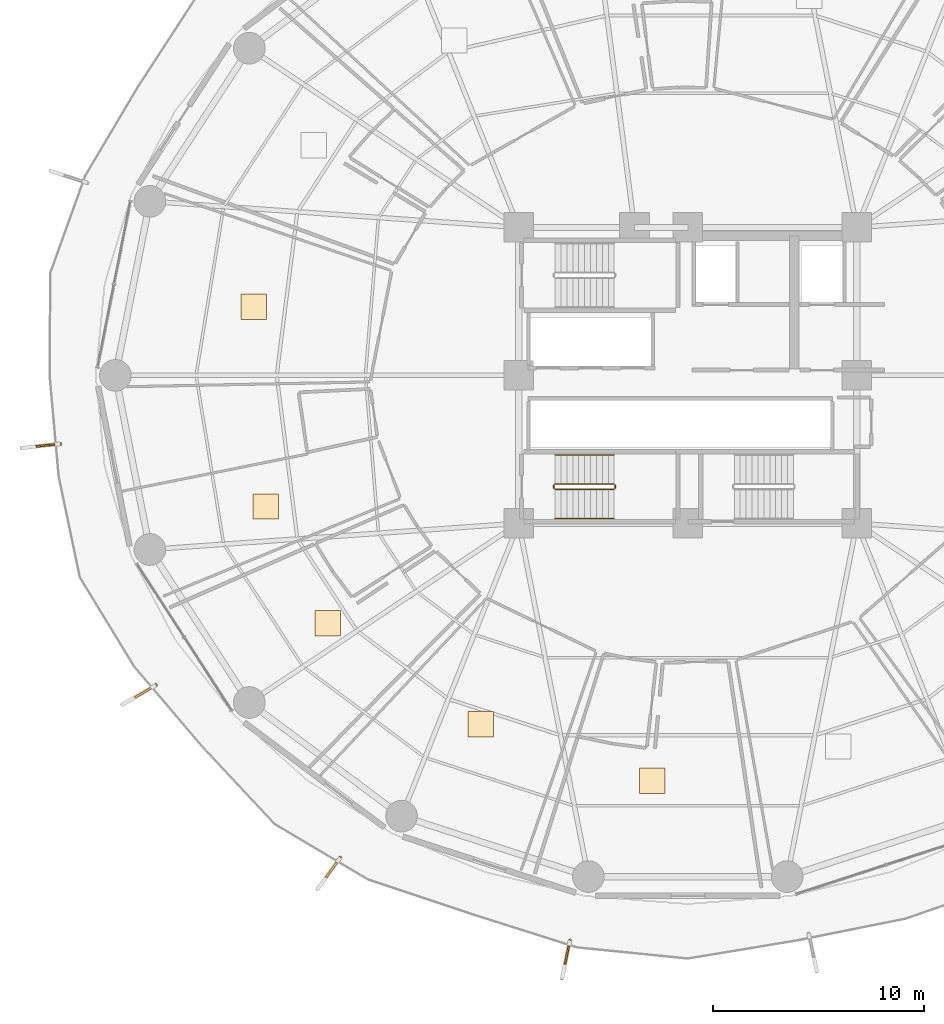
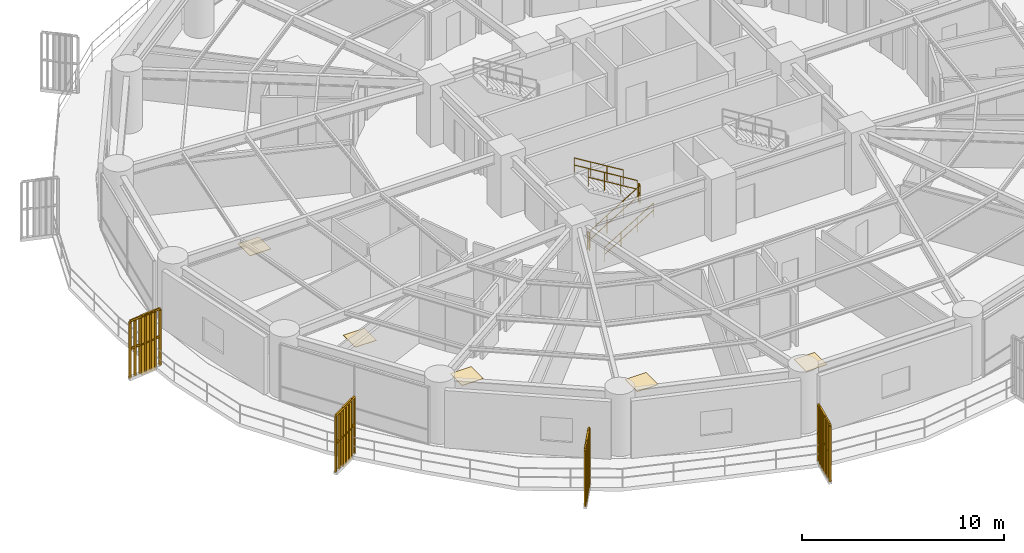
# One storey, part 29 of 33: 10 railings, 5 coverings, 4 shading devices.
"""IFC4 building model written with IfcOpenShell, lengths in metres."""

from ifc_helpers import new_model, si_unit, direction, frame, origin, origin_2d, place, context, subcontext, project, spatial, polyline, rectangle, outline, extrude, source, transform, mapped, material, layer, layer_set, type_object, element, save


model = new_model("IFC4")

# Units and contexts
model_context = context("Model", 3, precision=1e-05, world=origin(), true_north=direction((0.0, 1.0)))
body_context = subcontext(model_context, "Body", "Model", "MODEL_VIEW")
ifc_project = project(units=[si_unit("LENGTHUNIT", "METRE"), si_unit("AREAUNIT", "SQUARE_METRE"), si_unit("VOLUMEUNIT", "CUBIC_METRE"), si_unit("PLANEANGLEUNIT", "RADIAN"), si_unit("MASSUNIT", "GRAM", prefix="KILO")], contexts=[model_context])

# Site, building, storey
site_placement = place(None, origin())
site = spatial("IfcSite", under=ifc_project, at=site_placement, CompositionType="ELEMENT")
building_placement = place(site_placement, origin())
building = spatial("IfcBuilding", under=site, at=building_placement, Name="Kelanora Arch Commons", CompositionType="ELEMENT")
storey_placement = place(building_placement, frame((0.0, 0.0, 41.25)))
storey = spatial("IfcBuildingStorey", under=building, at=storey_placement, Name="L10", CompositionType="ELEMENT", Elevation=41.25)

# Railings
ifc_material_1 = material(Name="Anodised bronze vertical shading fin rib assembly")
railing_type_1 = type_object("IfcRailingType", Name="RAIL-FIN-BRZ", PredefinedType="BALUSTRADE", material=ifc_material_1)
railing_1_placement = place(storey_placement, frame((44.318603515625, 54.763427734375, -0.02001953125)))
element("IfcRailing", 1, at=railing_1_placement, inside=storey, type_object=railing_type_1, Name="Sweeping Bronze Vertical Fin Blade L10-07", PredefinedType="BALUSTRADE", context=body_context, shape_type="SweptSolid", body=[
    extrude(outline(polyline([(0.06982421875, 0.0), (0.034912109375, 0.060546875), (-0.034912109375, 0.060546875), (-0.06982421875, 0.0), (-0.034912109375, -0.060546875), (0.034912109375, -0.060546875), (0.06982421875, 0.0)])), frame((0.0, 0.0, 3.419921875), z_axis=(-0.994109446228, -0.108380851261, 0.0), x_axis=(0.108380851261, -0.994109446228, 0.0)), (0.0, 0.0, 1.0), 1.842529296875),
    extrude(outline(polyline([(0.06982421875, 0.0), (0.034912109375, 0.060546875), (-0.034912109375, 0.060546875), (-0.06982421875, 0.0), (-0.034912109375, -0.060546875), (0.034912109375, -0.060546875), (0.06982421875, 0.0)])), frame((0.0, 0.0, 1.7451171875), z_axis=(-0.994109446228, -0.108380851261, 0.0), x_axis=(0.108380851261, -0.994109446228, 0.0)), (0.0, 0.0, 1.0), 1.842529296875),
    extrude(outline(polyline([(0.080078125, 0.0), (0.0400390625, 0.0693359375), (-0.0400390625, 0.0693359375), (-0.080078125, 0.0), (-0.0400390625, -0.0693359375), (0.0400390625, -0.0693359375), (0.080078125, 0.0)])), origin(), (0.0, 0.0, 1.0), 3.35009765625),
    extrude(outline(polyline([(0.080078125, 0.0), (0.0400390625, 0.0693359375), (-0.0400390625, 0.0693359375), (-0.080078125, 0.0), (-0.0400390625, -0.0693359375), (0.0400390625, -0.0693359375), (0.080078125, 0.0)])), frame((-0.30517578125, -0.033203125, 0.0)), (0.0, 0.0, 1.0), 3.35009765625),
    extrude(outline(polyline([(0.080078125, 0.0), (0.0400390625, 0.0693359375), (-0.0400390625, 0.0693359375), (-0.080078125, 0.0), (-0.0400390625, -0.0693359375), (0.0400390625, -0.0693359375), (0.080078125, 0.0)])), frame((-0.610595703125, -0.066650390625, 0.0)), (0.0, 0.0, 1.0), 3.35009765625),
    extrude(outline(polyline([(0.080078125, 0.0), (0.0400390625, 0.0693359375), (-0.0400390625, 0.0693359375), (-0.080078125, 0.0), (-0.0400390625, -0.0693359375), (0.0400390625, -0.0693359375), (0.080078125, 0.0)])), frame((-0.916015625, -0.099853515625, 0.0)), (0.0, 0.0, 1.0), 3.35009765625),
    extrude(outline(polyline([(0.080078125, 0.0), (0.0400390625, 0.0693359375), (-0.0400390625, 0.0693359375), (-0.080078125, 0.0), (-0.0400390625, -0.0693359375), (0.0400390625, -0.0693359375), (0.080078125, 0.0)])), frame((-1.22119140625, -0.133056640625, 0.0)), (0.0, 0.0, 1.0), 3.35009765625),
    extrude(outline(polyline([(0.080078125, 0.0), (0.0400390625, 0.0693359375), (-0.0400390625, 0.0693359375), (-0.080078125, 0.0), (-0.0400390625, -0.0693359375), (0.0400390625, -0.0693359375), (0.080078125, 0.0)])), frame((-1.5263671875, -0.16650390625, 0.0)), (0.0, 0.0, 1.0), 3.35009765625),
    extrude(outline(polyline([(0.080078125, 0.0), (0.0400390625, 0.0693359375), (-0.0400390625, 0.0693359375), (-0.080078125, 0.0), (-0.0400390625, -0.0693359375), (0.0400390625, -0.0693359375), (0.080078125, 0.0)])), frame((-1.831787109375, -0.19970703125, 0.0)), (0.0, 0.0, 1.0), 3.35009765625),
])
railing_2_placement = place(storey_placement, frame((48.84228515625, 43.344482421875, -0.02001953125)))
element("IfcRailing", 2, at=railing_2_placement, inside=storey, type_object=railing_type_1, Name="Sweeping Bronze Vertical Fin Blade L10-08", PredefinedType="BALUSTRADE", context=body_context, shape_type="SweptSolid", body=[
    extrude(outline(polyline([(0.06982421875, 0.0), (0.034912109375, 0.060546875), (-0.034912109375, 0.060546875), (-0.06982421875, 0.0), (-0.034912109375, -0.060546875), (0.034912109375, -0.060546875), (0.06982421875, 0.0)])), frame((0.0, 0.0, 3.419921875), z_axis=(-0.864062310183, -0.503384866797, 0.0), x_axis=(0.503384866797, -0.864062310183, 0.0)), (0.0, 0.0, 1.0), 1.842529296875),
    extrude(outline(polyline([(0.06982421875, 0.0), (0.034912109375, 0.060546875), (-0.034912109375, 0.060546875), (-0.06982421875, 0.0), (-0.034912109375, -0.060546875), (0.034912109375, -0.060546875), (0.06982421875, 0.0)])), frame((0.0, 0.0, 1.7451171875), z_axis=(-0.864062310183, -0.503384866797, 0.0), x_axis=(0.503384866797, -0.864062310183, 0.0)), (0.0, 0.0, 1.0), 1.842529296875),
    extrude(outline(polyline([(0.080078125, 0.0), (0.0400390625, 0.0693359375), (-0.0400390625, 0.0693359375), (-0.080078125, 0.0), (-0.0400390625, -0.0693359375), (0.0400390625, -0.0693359375), (0.080078125, 0.0)])), origin(), (0.0, 0.0, 1.0), 3.35009765625),
    extrude(outline(polyline([(0.080078125, 0.0), (0.0400390625, 0.0693359375), (-0.0400390625, 0.0693359375), (-0.080078125, 0.0), (-0.0400390625, -0.0693359375), (0.0400390625, -0.0693359375), (0.080078125, 0.0)])), frame((-0.265380859375, -0.154541015625, 0.0)), (0.0, 0.0, 1.0), 3.35009765625),
    extrude(outline(polyline([(0.080078125, 0.0), (0.0400390625, 0.0693359375), (-0.0400390625, 0.0693359375), (-0.080078125, 0.0), (-0.0400390625, -0.0693359375), (0.0400390625, -0.0693359375), (0.080078125, 0.0)])), frame((-0.53076171875, -0.30908203125, 0.0)), (0.0, 0.0, 1.0), 3.35009765625),
    extrude(outline(polyline([(0.080078125, 0.0), (0.0400390625, 0.0693359375), (-0.0400390625, 0.0693359375), (-0.080078125, 0.0), (-0.0400390625, -0.0693359375), (0.0400390625, -0.0693359375), (0.080078125, 0.0)])), frame((-0.7958984375, -0.4638671875, 0.0)), (0.0, 0.0, 1.0), 3.35009765625),
    extrude(outline(polyline([(0.080078125, 0.0), (0.0400390625, 0.0693359375), (-0.0400390625, 0.0693359375), (-0.080078125, 0.0), (-0.0400390625, -0.0693359375), (0.0400390625, -0.0693359375), (0.080078125, 0.0)])), frame((-1.061279296875, -0.618408203125, 0.0)), (0.0, 0.0, 1.0), 3.35009765625),
    extrude(outline(polyline([(0.080078125, 0.0), (0.0400390625, 0.0693359375), (-0.0400390625, 0.0693359375), (-0.080078125, 0.0), (-0.0400390625, -0.0693359375), (0.0400390625, -0.0693359375), (0.080078125, 0.0)])), frame((-1.32666015625, -0.77294921875, 0.0)), (0.0, 0.0, 1.0), 3.35009765625),
    extrude(outline(polyline([(0.080078125, 0.0), (0.0400390625, 0.0693359375), (-0.0400390625, 0.0693359375), (-0.080078125, 0.0), (-0.0400390625, -0.0693359375), (0.0400390625, -0.0693359375), (0.080078125, 0.0)])), frame((-1.592041015625, -0.927490234375, 0.0)), (0.0, 0.0, 1.0), 3.35009765625),
])
railing_3_placement = place(storey_placement, frame((57.560791015625, 35.18701171875, -0.02001953125)))
element("IfcRailing", 3, at=railing_3_placement, inside=storey, type_object=railing_type_1, Name="Sweeping Bronze Vertical Fin Blade L10-09", PredefinedType="BALUSTRADE", context=body_context, shape_type="SweptSolid", body=[
    extrude(outline(polyline([(0.06982421875, 0.0), (0.034912109375, 0.060546875), (-0.034912109375, 0.060546875), (-0.06982421875, 0.0), (-0.034912109375, -0.060546875), (0.034912109375, -0.060546875), (0.06982421875, 0.0)])), frame((0.0, 0.0, 3.419921875), z_axis=(-0.584692086421, -0.811255301417, 0.0), x_axis=(0.811255301417, -0.584692086421, 0.0)), (0.0, 0.0, 1.0), 1.8427734375),
    extrude(outline(polyline([(0.06982421875, 0.0), (0.034912109375, 0.060546875), (-0.034912109375, 0.060546875), (-0.06982421875, 0.0), (-0.034912109375, -0.060546875), (0.034912109375, -0.060546875), (0.06982421875, 0.0)])), frame((0.0, 0.0, 1.7451171875), z_axis=(-0.584692086421, -0.811255301417, 0.0), x_axis=(0.811255301417, -0.584692086421, 0.0)), (0.0, 0.0, 1.0), 1.8427734375),
    extrude(outline(polyline([(0.080078125, 0.0), (0.0400390625, 0.0693359375), (-0.0400390625, 0.0693359375), (-0.080078125, 0.0), (-0.0400390625, -0.0693359375), (0.0400390625, -0.0693359375), (0.080078125, 0.0)])), origin(), (0.0, 0.0, 1.0), 3.35009765625),
    extrude(outline(polyline([(0.080078125, 0.0), (0.0400390625, 0.0693359375), (-0.0400390625, 0.0693359375), (-0.080078125, 0.0), (-0.0400390625, -0.0693359375), (0.0400390625, -0.0693359375), (0.080078125, 0.0)])), frame((-0.1796875, -0.2490234375, 0.0)), (0.0, 0.0, 1.0), 3.35009765625),
    extrude(outline(polyline([(0.080078125, 0.0), (0.0400390625, 0.0693359375), (-0.0400390625, 0.0693359375), (-0.080078125, 0.0), (-0.0400390625, -0.0693359375), (0.0400390625, -0.0693359375), (0.080078125, 0.0)])), frame((-0.359130859375, -0.498291015625, 0.0)), (0.0, 0.0, 1.0), 3.35009765625),
    extrude(outline(polyline([(0.080078125, 0.0), (0.0400390625, 0.0693359375), (-0.0400390625, 0.0693359375), (-0.080078125, 0.0), (-0.0400390625, -0.0693359375), (0.0400390625, -0.0693359375), (0.080078125, 0.0)])), frame((-0.53857421875, -0.74755859375, 0.0)), (0.0, 0.0, 1.0), 3.35009765625),
    extrude(outline(polyline([(0.080078125, 0.0), (0.0400390625, 0.0693359375), (-0.0400390625, 0.0693359375), (-0.080078125, 0.0), (-0.0400390625, -0.0693359375), (0.0400390625, -0.0693359375), (0.080078125, 0.0)])), frame((-0.71826171875, -0.99658203125, 0.0)), (0.0, 0.0, 1.0), 3.35009765625),
    extrude(outline(polyline([(0.080078125, 0.0), (0.0400390625, 0.0693359375), (-0.0400390625, 0.0693359375), (-0.080078125, 0.0), (-0.0400390625, -0.0693359375), (0.0400390625, -0.0693359375), (0.080078125, 0.0)])), frame((-0.89794921875, -1.24560546875, 0.0)), (0.0, 0.0, 1.0), 3.35009765625),
    extrude(outline(polyline([(0.080078125, 0.0), (0.0400390625, 0.0693359375), (-0.0400390625, 0.0693359375), (-0.080078125, 0.0), (-0.0400390625, -0.0693359375), (0.0400390625, -0.0693359375), (0.080078125, 0.0)])), frame((-1.077392578125, -1.494873046875, 0.0)), (0.0, 0.0, 1.0), 3.35009765625),
])
railing_4_placement = place(storey_placement, frame((68.427978515625, 31.274658203125, -0.02001953125)))
element("IfcRailing", 4, at=railing_4_placement, inside=storey, type_object=railing_type_1, Name="Sweeping Bronze Vertical Fin Blade L10-10", PredefinedType="BALUSTRADE", context=body_context, shape_type="SweptSolid", body=[
    extrude(outline(polyline([(0.06982421875, 0.0), (0.034912109375, 0.060546875), (-0.034912109375, 0.060546875), (-0.06982421875, 0.0), (-0.034912109375, -0.060546875), (0.034912109375, -0.060546875), (0.06982421875, 0.0)])), frame((0.0, 0.0, 3.419921875), z_axis=(-0.204060081776, -0.978958366339, 0.0), x_axis=(0.978958366339, -0.204060081776, 0.0)), (0.0, 0.0, 1.0), 1.842529296875),
    extrude(outline(polyline([(0.06982421875, 0.0), (0.034912109375, 0.060546875), (-0.034912109375, 0.060546875), (-0.06982421875, 0.0), (-0.034912109375, -0.060546875), (0.034912109375, -0.060546875), (0.06982421875, 0.0)])), frame((0.0, 0.0, 1.7451171875), z_axis=(-0.204060081776, -0.978958366339, 0.0), x_axis=(0.978958366339, -0.204060081776, 0.0)), (0.0, 0.0, 1.0), 1.842529296875),
    extrude(outline(polyline([(0.080078125, 0.0), (0.0400390625, 0.0693359375), (-0.0400390625, 0.0693359375), (-0.080078125, 0.0), (-0.0400390625, -0.0693359375), (0.0400390625, -0.0693359375), (0.080078125, 0.0)])), origin(), (0.0, 0.0, 1.0), 3.35009765625),
    extrude(outline(polyline([(0.080078125, 0.0), (0.0400390625, 0.0693359375), (-0.0400390625, 0.0693359375), (-0.080078125, 0.0), (-0.0400390625, -0.0693359375), (0.0400390625, -0.0693359375), (0.080078125, 0.0)])), frame((-0.062744140625, -0.300537109375, 0.0)), (0.0, 0.0, 1.0), 3.35009765625),
    extrude(outline(polyline([(0.080078125, 0.0), (0.0400390625, 0.0693359375), (-0.0400390625, 0.0693359375), (-0.080078125, 0.0), (-0.0400390625, -0.0693359375), (0.0400390625, -0.0693359375), (0.080078125, 0.0)])), frame((-0.125244140625, -0.601318359375, 0.0)), (0.0, 0.0, 1.0), 3.35009765625),
    extrude(outline(polyline([(0.080078125, 0.0), (0.0400390625, 0.0693359375), (-0.0400390625, 0.0693359375), (-0.080078125, 0.0), (-0.0400390625, -0.0693359375), (0.0400390625, -0.0693359375), (0.080078125, 0.0)])), frame((-0.18798828125, -0.90185546875, 0.0)), (0.0, 0.0, 1.0), 3.35009765625),
    extrude(outline(polyline([(0.080078125, 0.0), (0.0400390625, 0.0693359375), (-0.0400390625, 0.0693359375), (-0.080078125, 0.0), (-0.0400390625, -0.0693359375), (0.0400390625, -0.0693359375), (0.080078125, 0.0)])), frame((-0.250732421875, -1.202392578125, 0.0)), (0.0, 0.0, 1.0), 3.35009765625),
    extrude(outline(polyline([(0.080078125, 0.0), (0.0400390625, 0.0693359375), (-0.0400390625, 0.0693359375), (-0.080078125, 0.0), (-0.0400390625, -0.0693359375), (0.0400390625, -0.0693359375), (0.080078125, 0.0)])), frame((-0.313232421875, -1.503173828125, 0.0)), (0.0, 0.0, 1.0), 3.35009765625),
    extrude(outline(polyline([(0.080078125, 0.0), (0.0400390625, 0.0693359375), (-0.0400390625, 0.0693359375), (-0.080078125, 0.0), (-0.0400390625, -0.0693359375), (0.0400390625, -0.0693359375), (0.080078125, 0.0)])), frame((-0.3759765625, -1.8037109375, 0.0)), (0.0, 0.0, 1.0), 3.35009765625),
])
ifc_material_2 = material(Name="Painted steel stair well guard", Category="steel")
railing_type_2 = type_object("IfcRailingType", Name="RAIL-STAIR-GRD", PredefinedType="GUARDRAIL", material=ifc_material_2)
railing_5_placement = place(storey_placement, frame((67.719970703125, 52.610107421875, 0.17041015625)))
element("IfcRailing", 5, at=railing_5_placement, inside=storey, type_object=railing_type_2, Name="L10 ST-T3 stair guard 1", PredefinedType="GUARDRAIL", context=body_context, shape_type="SweptSolid", body=[
    extrude(outline(polyline([(0.02392578125, 0.0), (0.011962890625, 0.020751953125), (-0.011962890625, 0.020751953125), (-0.02392578125, 0.0), (-0.011962890625, -0.020751953125), (0.011962890625, -0.020751953125), (0.02392578125, 0.0)])), frame((0.0, 0.0, 1.076171875), z_axis=(0.854169791009, 0.0, 0.51999420009), x_axis=(0.0, 1.0, 0.0)), (0.0, 0.0, 1.0), 3.278076171875),
    extrude(outline(polyline([(0.02392578125, 0.0), (0.011962890625, 0.020751953125), (-0.011962890625, 0.020751953125), (-0.02392578125, 0.0), (-0.011962890625, -0.020751953125), (0.011962890625, -0.020751953125), (0.02392578125, 0.0)])), frame((0.0, 0.0, 0.550048828125), z_axis=(0.854169791009, 0.0, 0.51999420009), x_axis=(0.0, 1.0, 0.0)), (0.0, 0.0, 1.0), 3.278076171875),
    extrude(outline(polyline([(0.02099609375, 0.0), (0.010498046875, 0.01806640625), (-0.010498046875, 0.01806640625), (-0.02099609375, 0.0), (-0.010498046875, -0.01806640625), (0.010498046875, -0.01806640625), (0.02099609375, 0.0)])), origin(), (0.0, 0.0, 1.0), 1.052001953125),
    extrude(outline(polyline([(0.02099609375, 0.0), (0.010498046875, 0.01806640625), (-0.010498046875, 0.01806640625), (-0.02099609375, 0.0), (-0.010498046875, -0.01806640625), (0.010498046875, -0.01806640625), (0.02099609375, 0.0)])), frame((0.933349609375, 0.0, 0.568115234375)), (0.0, 0.0, 1.0), 1.052001953125),
    extrude(outline(polyline([(0.02099609375, 0.0), (0.010498046875, 0.01806640625), (-0.010498046875, 0.01806640625), (-0.02099609375, 0.0), (-0.010498046875, -0.01806640625), (0.010498046875, -0.01806640625), (0.02099609375, 0.0)])), frame((1.86669921875, 0.0, 1.136474609375)), (0.0, 0.0, 1.0), 1.052001953125),
    extrude(outline(polyline([(0.02099609375, 0.0), (0.010498046875, 0.01806640625), (-0.010498046875, 0.01806640625), (-0.02099609375, 0.0), (-0.010498046875, -0.01806640625), (0.010498046875, -0.01806640625), (0.02099609375, 0.0)])), frame((2.800048828125, 0.0, 1.70458984375)), (0.0, 0.0, 1.0), 1.052001953125),
])
railing_6_placement = place(storey_placement, frame((70.570068359375, 52.659912109375, 1.875)))
element("IfcRailing", 6, at=railing_6_placement, inside=storey, type_object=railing_type_2, Name="L10 ST-T3 stair guard 2", PredefinedType="GUARDRAIL", context=body_context, shape_type="SweptSolid", body=[
    extrude(outline(polyline([(0.02392578125, 0.0), (0.011962890625, 0.020751953125), (-0.011962890625, 0.020751953125), (-0.02392578125, 0.0), (-0.011962890625, -0.020751953125), (0.011962890625, -0.020751953125), (0.02392578125, 0.0)])), frame((0.0, 0.0, 1.076171875), z_axis=(0.0, 1.0, 0.0), x_axis=(-1.0, 0.0, 0.0)), (0.0, 0.0, 1.0), 0.150146484375),
    extrude(outline(polyline([(0.02392578125, 0.0), (0.011962890625, 0.020751953125), (-0.011962890625, 0.020751953125), (-0.02392578125, 0.0), (-0.011962890625, -0.020751953125), (0.011962890625, -0.020751953125), (0.02392578125, 0.0)])), frame((0.0, 0.0, 0.550048828125), z_axis=(0.0, 1.0, 0.0), x_axis=(-1.0, 0.0, 0.0)), (0.0, 0.0, 1.0), 0.150146484375),
    extrude(outline(polyline([(0.02099609375, 0.0), (0.010498046875, 0.01806640625), (-0.010498046875, 0.01806640625), (-0.02099609375, 0.0), (-0.010498046875, -0.01806640625), (0.010498046875, -0.01806640625), (0.02099609375, 0.0)])), origin(), (0.0, 0.0, 1.0), 1.052001953125),
    extrude(outline(polyline([(0.02099609375, 0.0), (0.010498046875, 0.01806640625), (-0.010498046875, 0.01806640625), (-0.02099609375, 0.0), (-0.010498046875, -0.01806640625), (0.010498046875, -0.01806640625), (0.02099609375, 0.0)])), frame((0.0, 0.150146484375, 0.0)), (0.0, 0.0, 1.0), 1.052001953125),
])
railing_7_placement = place(storey_placement, frame((70.52001953125, 52.860107421875, 2.04541015625)))
element("IfcRailing", 7, at=railing_7_placement, inside=storey, type_object=railing_type_2, Name="L10 ST-T3 stair guard 3", PredefinedType="GUARDRAIL", context=body_context, shape_type="SweptSolid", body=[
    extrude(outline(polyline([(0.02392578125, 0.0), (0.011962890625, 0.020751953125), (-0.011962890625, 0.020751953125), (-0.02392578125, 0.0), (-0.011962890625, -0.020751953125), (0.011962890625, -0.020751953125), (0.02392578125, 0.0)])), frame((0.0, 0.0, 1.076171875), z_axis=(-0.854169791009, 0.0, 0.51999420009), x_axis=(0.0, -1.0, 0.0)), (0.0, 0.0, 1.0), 3.278076171875),
    extrude(outline(polyline([(0.02392578125, 0.0), (0.011962890625, 0.020751953125), (-0.011962890625, 0.020751953125), (-0.02392578125, 0.0), (-0.011962890625, -0.020751953125), (0.011962890625, -0.020751953125), (0.02392578125, 0.0)])), frame((0.0, 0.0, 0.550048828125), z_axis=(-0.854169791009, 0.0, 0.51999420009), x_axis=(0.0, -1.0, 0.0)), (0.0, 0.0, 1.0), 3.278076171875),
    extrude(outline(polyline([(0.02099609375, 0.0), (0.010498046875, 0.01806640625), (-0.010498046875, 0.01806640625), (-0.02099609375, 0.0), (-0.010498046875, -0.01806640625), (0.010498046875, -0.01806640625), (0.02099609375, 0.0)])), origin(), (0.0, 0.0, 1.0), 1.052001953125),
    extrude(outline(polyline([(0.02099609375, 0.0), (0.010498046875, 0.01806640625), (-0.010498046875, 0.01806640625), (-0.02099609375, 0.0), (-0.010498046875, -0.01806640625), (0.010498046875, -0.01806640625), (0.02099609375, 0.0)])), frame((-0.933349609375, 0.0, 0.568115234375)), (0.0, 0.0, 1.0), 1.052001953125),
    extrude(outline(polyline([(0.02099609375, 0.0), (0.010498046875, 0.01806640625), (-0.010498046875, 0.01806640625), (-0.02099609375, 0.0), (-0.010498046875, -0.01806640625), (0.010498046875, -0.01806640625), (0.02099609375, 0.0)])), frame((-1.86669921875, 0.0, 1.136474609375)), (0.0, 0.0, 1.0), 1.052001953125),
    extrude(outline(polyline([(0.02099609375, 0.0), (0.010498046875, 0.01806640625), (-0.010498046875, 0.01806640625), (-0.02099609375, 0.0), (-0.010498046875, -0.01806640625), (0.010498046875, -0.01806640625), (0.02099609375, 0.0)])), frame((-2.800048828125, 0.0, 1.70458984375)), (0.0, 0.0, 1.0), 1.052001953125),
])
railing_8_placement = place(storey_placement, frame((67.669921875, 52.659912109375, 0.0)))
element("IfcRailing", 8, at=railing_8_placement, inside=storey, type_object=railing_type_2, Name="L10 ST-T3 stair guard 4", PredefinedType="GUARDRAIL", context=body_context, shape_type="SweptSolid", body=[
    extrude(outline(polyline([(0.02392578125, 0.0), (0.011962890625, 0.020751953125), (-0.011962890625, 0.020751953125), (-0.02392578125, 0.0), (-0.011962890625, -0.020751953125), (0.011962890625, -0.020751953125), (0.02392578125, 0.0)])), frame((0.0, 0.0, 1.076171875), z_axis=(0.0, 1.0, 0.0), x_axis=(-1.0, 0.0, 0.0)), (0.0, 0.0, 1.0), 0.150146484375),
    extrude(outline(polyline([(0.02392578125, 0.0), (0.011962890625, 0.020751953125), (-0.011962890625, 0.020751953125), (-0.02392578125, 0.0), (-0.011962890625, -0.020751953125), (0.011962890625, -0.020751953125), (0.02392578125, 0.0)])), frame((0.0, 0.0, 0.550048828125), z_axis=(0.0, 1.0, 0.0), x_axis=(-1.0, 0.0, 0.0)), (0.0, 0.0, 1.0), 0.150146484375),
    extrude(outline(polyline([(0.02099609375, 0.0), (0.010498046875, 0.01806640625), (-0.010498046875, 0.01806640625), (-0.02099609375, 0.0), (-0.010498046875, -0.01806640625), (0.010498046875, -0.01806640625), (0.02099609375, 0.0)])), origin(), (0.0, 0.0, 1.0), 1.052001953125),
    extrude(outline(polyline([(0.02099609375, 0.0), (0.010498046875, 0.01806640625), (-0.010498046875, 0.01806640625), (-0.02099609375, 0.0), (-0.010498046875, -0.01806640625), (0.010498046875, -0.01806640625), (0.02099609375, 0.0)])), frame((0.0, 0.150146484375, 0.0)), (0.0, 0.0, 1.0), 1.052001953125),
])
ifc_material_3 = material(Name="Brushed stainless steel stair handrail", Category="steel")
railing_type_3 = type_object("IfcRailingType", Name="RAIL-STAIR-HND", PredefinedType="HANDRAIL", material=ifc_material_3)
railing_9_placement = place(storey_placement, frame((67.719970703125, 51.22998046875, 0.17041015625)))
element("IfcRailing", 9, at=railing_9_placement, inside=storey, type_object=railing_type_3, Name="L10 ST-T3 stair handrail 1", PredefinedType="HANDRAIL", context=body_context, shape_type="SweptSolid", body=[
    extrude(outline(polyline([(0.02392578125, 0.0), (0.011962890625, 0.020751953125), (-0.011962890625, 0.020751953125), (-0.02392578125, 0.0), (-0.011962890625, -0.020751953125), (0.011962890625, -0.020751953125), (0.02392578125, 0.0)])), frame((0.0, 0.0, 0.8759765625), z_axis=(0.854169791009, 0.0, 0.51999420009), x_axis=(0.0, 1.0, 0.0)), (0.0, 0.0, 1.0), 3.278076171875),
    extrude(outline(polyline([(0.02392578125, 0.0), (0.011962890625, 0.020751953125), (-0.011962890625, 0.020751953125), (-0.02392578125, 0.0), (-0.011962890625, -0.020751953125), (0.011962890625, -0.020751953125), (0.02392578125, 0.0)])), frame((0.0, 0.0, 0.449951171875), z_axis=(0.854169791009, 0.0, 0.51999420009), x_axis=(0.0, 1.0, 0.0)), (0.0, 0.0, 1.0), 3.278076171875),
    extrude(outline(polyline([(0.02099609375, 0.0), (0.010498046875, 0.01806640625), (-0.010498046875, 0.01806640625), (-0.02099609375, 0.0), (-0.010498046875, -0.01806640625), (0.010498046875, -0.01806640625), (0.02099609375, 0.0)])), origin(), (0.0, 0.0, 1.0), 0.851806640625),
    extrude(outline(polyline([(0.02099609375, 0.0), (0.010498046875, 0.01806640625), (-0.010498046875, 0.01806640625), (-0.02099609375, 0.0), (-0.010498046875, -0.01806640625), (0.010498046875, -0.01806640625), (0.02099609375, 0.0)])), frame((0.933349609375, 0.0, 0.568115234375)), (0.0, 0.0, 1.0), 0.851806640625),
    extrude(outline(polyline([(0.02099609375, 0.0), (0.010498046875, 0.01806640625), (-0.010498046875, 0.01806640625), (-0.02099609375, 0.0), (-0.010498046875, -0.01806640625), (0.010498046875, -0.01806640625), (0.02099609375, 0.0)])), frame((1.86669921875, 0.0, 1.136474609375)), (0.0, 0.0, 1.0), 0.851806640625),
    extrude(outline(polyline([(0.02099609375, 0.0), (0.010498046875, 0.01806640625), (-0.010498046875, 0.01806640625), (-0.02099609375, 0.0), (-0.010498046875, -0.01806640625), (0.010498046875, -0.01806640625), (0.02099609375, 0.0)])), frame((2.800048828125, 0.0, 1.70458984375)), (0.0, 0.0, 1.0), 0.851806640625),
])
railing_10_placement = place(storey_placement, frame((70.52001953125, 54.239990234375, 2.04541015625)))
element("IfcRailing", 10, at=railing_10_placement, inside=storey, type_object=railing_type_3, Name="L10 ST-T3 stair handrail 2", PredefinedType="HANDRAIL", context=body_context, shape_type="SweptSolid", body=[
    extrude(outline(polyline([(0.02392578125, 0.0), (0.011962890625, 0.020751953125), (-0.011962890625, 0.020751953125), (-0.02392578125, 0.0), (-0.011962890625, -0.020751953125), (0.011962890625, -0.020751953125), (0.02392578125, 0.0)])), frame((0.0, 0.0, 0.8759765625), z_axis=(-0.854169791009, 0.0, 0.51999420009), x_axis=(0.0, -1.0, 0.0)), (0.0, 0.0, 1.0), 3.278076171875),
    extrude(outline(polyline([(0.02392578125, 0.0), (0.011962890625, 0.020751953125), (-0.011962890625, 0.020751953125), (-0.02392578125, 0.0), (-0.011962890625, -0.020751953125), (0.011962890625, -0.020751953125), (0.02392578125, 0.0)])), frame((0.0, 0.0, 0.449951171875), z_axis=(-0.854169791009, 0.0, 0.51999420009), x_axis=(0.0, -1.0, 0.0)), (0.0, 0.0, 1.0), 3.278076171875),
    extrude(outline(polyline([(0.02099609375, 0.0), (0.010498046875, 0.01806640625), (-0.010498046875, 0.01806640625), (-0.02099609375, 0.0), (-0.010498046875, -0.01806640625), (0.010498046875, -0.01806640625), (0.02099609375, 0.0)])), origin(), (0.0, 0.0, 1.0), 0.851806640625),
    extrude(outline(polyline([(0.02099609375, 0.0), (0.010498046875, 0.01806640625), (-0.010498046875, 0.01806640625), (-0.02099609375, 0.0), (-0.010498046875, -0.01806640625), (0.010498046875, -0.01806640625), (0.02099609375, 0.0)])), frame((-0.933349609375, 0.0, 0.568115234375)), (0.0, 0.0, 1.0), 0.851806640625),
    extrude(outline(polyline([(0.02099609375, 0.0), (0.010498046875, 0.01806640625), (-0.010498046875, 0.01806640625), (-0.02099609375, 0.0), (-0.010498046875, -0.01806640625), (0.010498046875, -0.01806640625), (0.02099609375, 0.0)])), frame((-1.86669921875, 0.0, 1.136474609375)), (0.0, 0.0, 1.0), 0.851806640625),
    extrude(outline(polyline([(0.02099609375, 0.0), (0.010498046875, 0.01806640625), (-0.010498046875, 0.01806640625), (-0.02099609375, 0.0), (-0.010498046875, -0.01806640625), (0.010498046875, -0.01806640625), (0.02099609375, 0.0)])), frame((-2.800048828125, 0.0, 1.70458984375)), (0.0, 0.0, 1.0), 0.851806640625),
])

# Shading devices
ifc_material_4 = material(Name="Terracotta ceramic-clad extruded aluminium fin", Category="masonry")
shading_device_type = type_object("IfcShadingDeviceType", Name="SHD-FIN-FLARE", PredefinedType="USERDEFINED", material=ifc_material_4)
shared_shape_1 = source(origin(), body_context, "Body", "SweptSolid", [
    extrude(rectangle(XDim=0.8798828125, YDim=0.090087890625, at=origin_2d()), origin(), (0.0, 0.0, 1.0), 3.610107421875),
])
for number, where, z_axis, x_axis, name in (
    (11, (43.602783203125, 54.685546875, -0.14013671875), (0.0, 0.0, 1.0), (-0.994113204519, -0.108346373271, 0.0), "Sweeping Terracotta Fin L10-07"),
    (12, (48.22021484375, 42.98193359375, -0.14013671875), (0.0, 0.0, 1.0), (-0.864099162217, -0.503321604797, 0.0), "Sweeping Terracotta Fin L10-08"),
    (13, (57.1396484375, 34.602783203125, -0.14013671875), (0.0, 0.0, 1.0), (-0.584674524674, -0.811267958321, 0.0), "Sweeping Terracotta Fin L10-09"),
    (14, (68.281005859375, 30.56982421875, -0.14013671875), (0.0, 0.0, 1.0), (-0.204154350213, -0.978938711712, 0.0), "Sweeping Terracotta Fin L10-10"),
):
    element("IfcShadingDevice", number, at=place(storey_placement, frame(where, z_axis=z_axis, x_axis=x_axis)), inside=storey, type_object=shading_device_type, Name=name, ObjectType="FIN", PredefinedType="USERDEFINED", context=body_context, shape_type="MappedRepresentation", body=[
        mapped(shared_shape_1, transform((0.0, 0.0, 0.0), scale=1.0)),
    ])

# Coverings
ifc_material_5 = material(Name="Polished local granite terrazzo flooring", Category="masonry")
ifc_layer = layer(ifc_material_5, 0.030029296875)
ifc_layer_set = layer_set([ifc_layer], Name="Polished local granite terrazzo flooring")
covering_type = type_object("IfcCoveringType", Name="COV-FLR-TER", PredefinedType="FLOORING", material=ifc_layer_set)
shared_shape_2 = source(origin(), body_context, "Body", "SweptSolid", [
    extrude(rectangle(XDim=1.199951171875, YDim=1.199951171875, at=origin_2d()), origin(), (0.0, 0.0, 1.0), 0.030029296875),
])
for number, where, z_axis, x_axis, name in (
    (15, (53.4736328125, 61.24462890625, 0.0), (0.0, 0.0, 1.0), (1.0, 0.0, 0.0), "Quiet Seminar Study Room L10-07 Terrazzo Finish"),
    (16, (54.034423828125, 51.794189453125, 0.0), (0.0, 0.0, 1.0), (1.0, 0.0, 0.0), "Tutorial Study Alcove L10-08 Terrazzo Finish"),
    (17, (56.9736328125, 46.27978515625, 0.0), (0.0, 0.0, 1.0), (1.0, 0.0, 0.0), "Co-Living Studio L10-09 Terrazzo Finish"),
    (18, (64.214599609375, 41.501708984375, 0.0), (0.0, 0.0, 1.0), (1.0, 0.0, 0.0), "Social Sky Lounge L10-10 Terrazzo Finish"),
    (19, (72.32666015625, 38.822265625, 0.0), (0.0, 0.0, 1.0), (1.0, 0.0, 0.0), "Co-Living Studio L10-11 Terrazzo Finish"),
):
    element("IfcCovering", number, at=place(storey_placement, frame(where, z_axis=z_axis, x_axis=x_axis)), inside=storey, type_object=covering_type, Name=name, PredefinedType="FLOORING", context=body_context, shape_type="MappedRepresentation", body=[
        mapped(shared_shape_2, transform((0.0, 0.0, 0.0), scale=1.0)),
    ])

save(model, "model.ifc")
